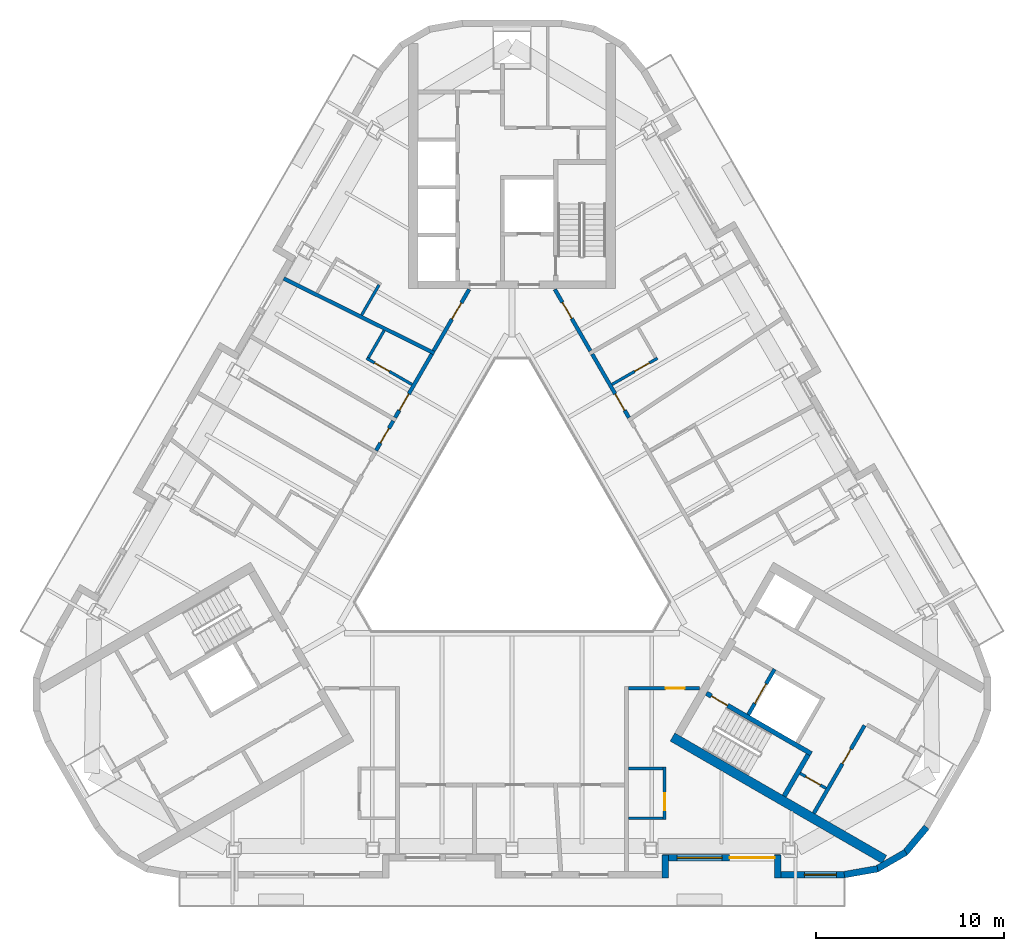
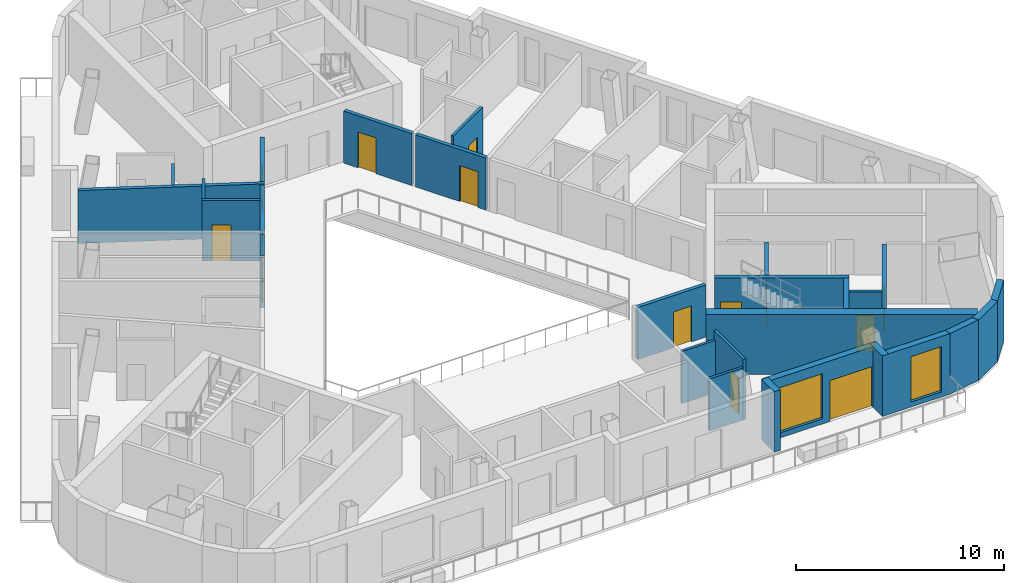
# One storey, part 5 of 13: 27 walls, 14 doors, 2 windows, 16 openings.
"""IFC4 building model written with IfcOpenShell, lengths in metres."""

from ifc_helpers import new_model, si_unit, direction, frame, frame_2d, origin, place, context, subcontext, project, spatial, rectangle, extrude, material, layer, layer_set, type_object, element, fill, save


model = new_model("IFC4")

# Units and contexts
model_context = context("Model", 3, precision=1e-05, world=origin(), true_north=direction((0.0, 1.0)))
body_context = subcontext(model_context, "Body", "Model", "MODEL_VIEW")
ifc_project = project(units=[si_unit("LENGTHUNIT", "METRE"), si_unit("AREAUNIT", "SQUARE_METRE"), si_unit("VOLUMEUNIT", "CUBIC_METRE"), si_unit("PLANEANGLEUNIT", "RADIAN"), si_unit("MASSUNIT", "GRAM", prefix="KILO")], contexts=[model_context])

# Site, building, storey
site_placement = place(None, origin())
site = spatial("IfcSite", under=ifc_project, at=site_placement, CompositionType="ELEMENT")
building_placement = place(site_placement, origin())
building = spatial("IfcBuilding", under=site, at=building_placement, Name="Apuvela Tower Hotel", CompositionType="ELEMENT")
storey_placement = place(building_placement, frame((0.0, 0.0, 276.300048828125)))
storey = spatial("IfcBuildingStorey", under=building, at=storey_placement, Name="L68", CompositionType="ELEMENT", Elevation=276.300048828125)

# Wall
ifc_material_1 = material(Name="Concrete C50/60", Category="concrete")
ifc_layer_1 = layer(ifc_material_1, 0.5)
ifc_layer_set_1 = layer_set([ifc_layer_1], Name="COR-WALL-CORE-500")
wall_type_1 = type_object("IfcWallType", Name="COR-WALL-CORE-500", PredefinedType="SHEAR", material=ifc_layer_set_1)
wall_1_placement = place(storey_placement, frame((8.546630859375, -10.99658203125, 0.0), z_axis=(0.0, 0.0, 1.0), x_axis=(0.866030218785, -0.499991660082, 0.0)))
element("IfcWall", 1, at=wall_1_placement, inside=storey, type_object=wall_type_1, Name="Core wall SE", PredefinedType="SHEAR", context=body_context, shape_type="SweptSolid", body=[
    extrude(rectangle(XDim=13.031494140625, YDim=0.5, at=frame_2d((6.515625, 0.0))), origin(), (0.0, 0.0, 1.0), 3.5),
])

# Wall, opening, door
ifc_material_2 = material(Name="Blockwork 150 mm plastered", Category="masonry")
ifc_layer_2 = layer(ifc_material_2, 0.14990234375)
ifc_layer_set_2 = layer_set([ifc_layer_2], Name="COR-WALL-PART-150")
wall_type_2 = type_object("IfcWallType", Name="COR-WALL-PART-150", PredefinedType="PARTITIONING", material=ifc_layer_set_2)
wall_2_placement = place(storey_placement, frame((15.341552734375, -12.927734375, 0.0), z_axis=(0.0, 0.0, 1.0), x_axis=(0.865989903783, -0.500061482766, 0.0)))
wall_2 = element("IfcWall", 2, at=wall_2_placement, inside=storey, type_object=wall_type_2, Name="Partition SE", PredefinedType="PARTITIONING", context=body_context, shape_type="SweptSolid", body=[
    extrude(rectangle(XDim=1.599853515625, YDim=0.14990234375, at=frame_2d((0.7998046875, 0.0))), origin(), (0.0, 0.0, 1.0), 3.5),
])
opening_1_placement = place(wall_2_placement, frame((0.35009765625, 0.0, 0.0)))
opening_1 = element("IfcOpeningElement", 3, at=opening_1_placement, cuts=wall_2, Name="Opening E-RD", PredefinedType="OPENING", context=body_context, shape_type="SweptSolid", body=[
    extrude(rectangle(XDim=0.89990234375, YDim=2.10009765625, at=frame_2d((0.449951171875, 1.050048828125))), frame((0.0, 0.0849609375, 0.0), z_axis=(0.0, -1.0, 0.0), x_axis=(1.0, 0.0, 0.0)), (0.0, 0.0, 1.0), 0.169921875),
])
ifc_material_3 = material(Name="Steel access door, powder coated", Category="steel")
door_type_1 = type_object("IfcDoorType", Name="COR-RD-900", OperationType="NOTDEFINED", PredefinedType="DOOR", material=ifc_material_3)
door_1_placement = place(opening_1_placement, frame((0.89990234375, 0.0, 0.0), z_axis=(0.0, 0.0, 1.0), x_axis=(-1.0, 0.0, 0.0)))
door_1 = element("IfcDoor", 4, at=door_1_placement, inside=storey, type_object=door_type_1, Name="Riser door E-RD", OperationType="SINGLE_SWING_LEFT", OverallHeight=2.10009765625, OverallWidth=0.89990234375, PredefinedType="DOOR", context=body_context, shape_type="SweptSolid", body=[
    extrude(rectangle(XDim=0.89990234375, YDim=2.10009765625, at=frame_2d((0.449951171875, 1.050048828125))), frame((0.0, 0.02490234375, 0.0), z_axis=(0.0, -1.0, 0.0), x_axis=(1.0, 0.0, 0.0)), (0.0, 0.0, 1.0), 0.050048828125),
])
fill(opening_1, door_1)

ifc_material_4 = material(Name="Blockwork 200 mm plastered", Category="masonry")
ifc_layer_3 = layer(ifc_material_4, 0.199951171875)
ifc_layer_set_3 = layer_set([ifc_layer_3], Name="COR-WALL-PART-200")
wall_type_3 = type_object("IfcWallType", Name="COR-WALL-PART-200", PredefinedType="PARTITIONING", material=ifc_layer_set_3)
wall_3_placement = place(storey_placement, frame((16.076171875, -15.05517578125, 0.0), z_axis=(0.0, 0.0, 1.0), x_axis=(0.499995103361, 0.866028230842, 0.0)))
wall_3 = element("IfcWall", 5, at=wall_3_placement, inside=storey, type_object=wall_type_3, Name="Partition SE", PredefinedType="PARTITIONING", context=body_context, shape_type="SweptSolid", body=[
    extrude(rectangle(XDim=5.39990234375, YDim=0.199951171875, at=frame_2d((2.699951171875, 0.0))), origin(), (0.0, 0.0, 1.0), 3.5),
])
opening_2_placement = place(wall_3_placement, frame((3.050048828125, 0.0, 0.0)))
opening_2 = element("IfcOpeningElement", 6, at=opening_2_placement, cuts=wall_3, Name="Opening E-RS1", PredefinedType="OPENING", context=body_context, shape_type="SweptSolid", body=[
    extrude(rectangle(XDim=0.89990234375, YDim=2.10009765625, at=frame_2d((0.449951171875, 1.050048828125))), frame((0.0, 0.10986328125, 0.0), z_axis=(0.0, -1.0, 0.0), x_axis=(1.0, 0.0, 0.0)), (0.0, 0.0, 1.0), 0.219970703125),
])
ifc_material_5 = material(Name="Steel fire door, powder coated", Category="steel")
door_type_2 = type_object("IfcDoorType", Name="COR-DR-900", OperationType="NOTDEFINED", PredefinedType="DOOR", material=ifc_material_5)
door_2_placement = place(opening_2_placement, frame((0.89990234375, 0.0, 0.0), z_axis=(0.0, 0.0, 1.0), x_axis=(-1.0, 0.0, 0.0)))
door_2 = element("IfcDoor", 7, at=door_2_placement, inside=storey, type_object=door_type_2, Name="Store door E-RS1", OperationType="SINGLE_SWING_LEFT", OverallHeight=2.10009765625, OverallWidth=0.89990234375, PredefinedType="DOOR", context=body_context, shape_type="SweptSolid", body=[
    extrude(rectangle(XDim=0.89990234375, YDim=2.10009765625, at=frame_2d((0.449951171875, 1.050048828125))), frame((0.0, 0.02490234375, 0.0), z_axis=(0.0, -1.0, 0.0), x_axis=(1.0, 0.0, 0.0)), (0.0, 0.0, 1.0), 0.050048828125),
])
fill(opening_2, door_2)

ifc_layer_4 = layer(ifc_material_1, 0.199951171875)
ifc_layer_set_4 = layer_set([ifc_layer_4], Name="COR-WALL-SHAFT-200")
wall_type_4 = type_object("IfcWallType", Name="COR-WALL-SHAFT-200", PredefinedType="SHEAR", material=ifc_layer_set_4)
wall_4_placement = place(storey_placement, frame((12.583251953125, -9.805419921875, 0.0), z_axis=(0.0, 0.0, 1.0), x_axis=(0.49994636267, 0.866056369097, 0.0)))
wall_4 = element("IfcWall", 8, at=wall_4_placement, inside=storey, type_object=wall_type_4, Name="Shaft wall SE", PredefinedType="SHEAR", context=body_context, shape_type="SweptSolid", body=[
    extrude(rectangle(XDim=2.800048828125, YDim=0.199951171875, at=frame_2d((1.39990234375, 0.0))), origin(), (0.0, 0.0, 1.0), 3.5),
])
opening_3_placement = place(wall_4_placement, frame((0.699951171875, 0.0, 0.0)))
opening_3 = element("IfcOpeningElement", 9, at=opening_3_placement, cuts=wall_4, Name="Opening E-LD-FS3", PredefinedType="OPENING", context=body_context, shape_type="SweptSolid", body=[
    extrude(rectangle(XDim=1.199951171875, YDim=2.10009765625, at=frame_2d((0.60009765625, 1.050048828125))), frame((0.0, 0.10986328125, 0.0), z_axis=(0.0, -1.0, 0.0), x_axis=(1.0, 0.0, 0.0)), (0.0, 0.0, 1.0), 0.219970703125),
])
ifc_material_6 = material(Name="Stainless steel lift landing door", Category="steel")
door_type_3 = type_object("IfcDoorType", Name="COR-LD-1200", OperationType="DOUBLE_DOOR_SLIDING", PredefinedType="DOOR", material=ifc_material_6)
door_3_placement = place(opening_3_placement, origin())
door_3 = element("IfcDoor", 10, at=door_3_placement, inside=storey, type_object=door_type_3, Name="Lift landing door E-LD-FS3", OperationType="DOUBLE_DOOR_SLIDING", OverallHeight=2.10009765625, OverallWidth=1.199951171875, PredefinedType="DOOR", context=body_context, shape_type="SweptSolid", body=[
    extrude(rectangle(XDim=1.199951171875, YDim=2.10009765625, at=frame_2d((0.60009765625, 1.050048828125))), frame((0.0, 0.02490234375, 0.0), z_axis=(0.0, -1.0, 0.0), x_axis=(1.0, 0.0, 0.0)), (0.0, 0.0, 1.0), 0.050048828125),
])
fill(opening_3, door_3)

ifc_layer_5 = layer(ifc_material_1, 0.25)
ifc_layer_set_5 = layer_set([ifc_layer_5], Name="COR-WALL-STAIR-250")
wall_type_5 = type_object("IfcWallType", Name="COR-WALL-STAIR-250", PredefinedType="SHEAR", material=ifc_layer_set_5)
wall_5_placement = place(storey_placement, frame((10.355712890625, -8.66357421875, 0.0), z_axis=(0.0, 0.0, 1.0), x_axis=(0.866028629588, -0.499994412703, 0.0)))
wall_5 = element("IfcWall", 11, at=wall_5_placement, inside=storey, type_object=wall_type_5, Name="Stair wall SE", PredefinedType="SHEAR", context=body_context, shape_type="SweptSolid", body=[
    extrude(rectangle(XDim=6.44970703125, YDim=0.25, at=frame_2d((3.224853515625, 0.0))), origin(), (0.0, 0.0, 1.0), 3.5),
])
opening_4_placement = place(wall_5_placement, frame((0.300048828125, 0.0, 0.0)))
opening_4 = element("IfcOpeningElement", 12, at=opening_4_placement, cuts=wall_5, Name="Opening E-SD", PredefinedType="OPENING", context=body_context, shape_type="SweptSolid", body=[
    extrude(rectangle(XDim=1.0, YDim=2.10009765625, at=frame_2d((0.5, 1.050048828125))), frame((0.0, 0.135009765625, 0.0), z_axis=(0.0, -1.0, 0.0), x_axis=(1.0, 0.0, 0.0)), (0.0, 0.0, 1.0), 0.27001953125),
])
door_type_4 = type_object("IfcDoorType", Name="COR-SD-1000", OperationType="NOTDEFINED", PredefinedType="DOOR", material=ifc_material_5)
door_4_placement = place(opening_4_placement, frame((1.0, 0.0, 0.0), z_axis=(0.0, 0.0, 1.0), x_axis=(-1.0, 0.0, 0.0)))
door_4 = element("IfcDoor", 13, at=door_4_placement, inside=storey, type_object=door_type_4, Name="Stair door E-SD", OperationType="SINGLE_SWING_LEFT", OverallHeight=2.10009765625, OverallWidth=1.0, PredefinedType="DOOR", context=body_context, shape_type="SweptSolid", body=[
    extrude(rectangle(XDim=1.0, YDim=2.10009765625, at=frame_2d((0.5, 1.050048828125))), frame((0.0, 0.02490234375, 0.0), z_axis=(0.0, -1.0, 0.0), x_axis=(1.0, 0.0, 0.0)), (0.0, 0.0, 1.0), 0.050048828125),
])
fill(opening_4, door_4)

# Walls
wall_6_placement = place(storey_placement, frame((14.49560546875, -14.142578125, 0.0), z_axis=(0.0, 0.0, 1.0), x_axis=(0.500062241894, 0.865989465428, 0.0)))
element("IfcWall", 14, at=wall_6_placement, inside=storey, type_object=wall_type_5, Name="Stair wall SE", PredefinedType="SHEAR", context=body_context, shape_type="SweptSolid", body=[
    extrude(rectangle(XDim=2.550048828125, YDim=0.25, at=frame_2d((1.27490234375, 0.0))), origin(), (0.0, 0.0, 1.0), 3.5),
])
ifc_material_7 = material(Name="Concrete C40/50, dark pigmented precast panel", Category="concrete")
ifc_layer_6 = layer(ifc_material_7, 0.35009765625)
ifc_layer_set_6 = layer_set([ifc_layer_6], Name="ENV-WALL-350")
wall_type_6 = type_object("IfcWallType", Name="ENV-WALL-350", PredefinedType="SOLIDWALL", material=ifc_layer_set_6)
wall_7_placement = place(storey_placement, frame((8.168701171875, -18.495849609375, 0.0), z_axis=(0.0, 0.0, 1.0), x_axis=(0.0, 1.0, 0.0)))
element("IfcWall", 15, at=wall_7_placement, inside=storey, type_object=wall_type_6, Name="External wall L68-22", PredefinedType="SOLIDWALL", context=body_context, shape_type="SweptSolid", body=[
    extrude(rectangle(XDim=1.219970703125, YDim=0.35009765625, at=frame_2d((0.60986328125, 0.0))), origin(), (0.0, 0.0, 1.0), 3.550048828125),
])

# Wall, openings, door, window
wall_8_placement = place(storey_placement, frame((8.023681640625, -17.4208984375, 0.0), z_axis=(0.0, 0.0, 1.0), x_axis=(1.0, 0.0, 0.0)))
wall_8 = element("IfcWall", 16, at=wall_8_placement, inside=storey, type_object=wall_type_6, Name="External wall L68-23", PredefinedType="SOLIDWALL", context=body_context, shape_type="SweptSolid", body=[
    extrude(rectangle(XDim=6.283447265625, YDim=0.35009765625, at=frame_2d((3.1416015625, 0.0))), origin(), (0.0, 0.0, 1.0), 3.550048828125),
])
opening_5_placement = place(wall_8_placement, frame((3.563232421875, 0.0, 0.0)))
opening_5 = element("IfcOpeningElement", 17, at=opening_5_placement, cuts=wall_8, Name="Opening BD24", PredefinedType="OPENING", context=body_context, shape_type="SweptSolid", body=[
    extrude(rectangle(XDim=2.39990234375, YDim=2.39990234375, at=frame_2d((1.199951171875, 1.199951171875))), frame((0.0, 0.18505859375, 0.0), z_axis=(0.0, -1.0, 0.0), x_axis=(1.0, 0.0, 0.0)), (0.0, 0.0, 1.0), 0.3701171875),
])
opening_6_placement = place(wall_8_placement, frame((0.77001953125, 0.0, 0.300048828125)))
opening_6 = element("IfcOpeningElement", 18, at=opening_6_placement, cuts=wall_8, Name="Opening WN24", PredefinedType="OPENING", context=body_context, shape_type="SweptSolid", body=[
    extrude(rectangle(XDim=2.39990234375, YDim=2.64990234375, at=frame_2d((1.199951171875, 1.324951171875))), frame((0.0, 0.18505859375, 0.0), z_axis=(0.0, -1.0, 0.0), x_axis=(1.0, 0.0, 0.0)), (0.0, 0.0, 1.0), 0.3701171875),
])
ifc_material_8 = material(Name="Aluminium 6063-T6, dark bronze anodised frame with dark tinted laminated glass", Category="aluminium")
door_type_5 = type_object("IfcDoorType", Name="ENV-DOOR-BALCONY-2400x2400", OperationType="SLIDING_TO_LEFT", PredefinedType="DOOR", material=ifc_material_8)
door_5_placement = place(opening_5_placement, frame((2.39990234375, 0.0, 0.0), z_axis=(0.0, 0.0, 1.0), x_axis=(-1.0, 0.0, 0.0)))
door_5 = element("IfcDoor", 19, at=door_5_placement, inside=storey, type_object=door_type_5, Name="Balcony door BD24", OperationType="SLIDING_TO_LEFT", OverallHeight=2.39990234375, OverallWidth=2.39990234375, PredefinedType="DOOR", context=body_context, shape_type="SweptSolid", body=[
    extrude(rectangle(XDim=2.39990234375, YDim=2.39990234375, at=frame_2d((1.199951171875, 1.199951171875))), frame((0.0, 0.02490234375, 0.0), z_axis=(0.0, -1.0, 0.0), x_axis=(1.0, 0.0, 0.0)), (0.0, 0.0, 1.0), 0.050048828125),
])
fill(opening_5, door_5)
ifc_material_9 = material(Name="Glass, dark tinted laminated insulated glazing unit", Category="glass")
window_type_1 = type_object("IfcWindowType", Name="ENV-WIN-2400x2650", PartitioningType="SINGLE_PANEL", PredefinedType="WINDOW", material=ifc_material_9)
window_1_placement = place(opening_6_placement, origin())
window_1 = element("IfcWindow", 20, at=window_1_placement, inside=storey, type_object=window_type_1, Name="Window WN24", OverallHeight=2.64990234375, OverallWidth=2.39990234375, PartitioningType="SINGLE_PANEL", PredefinedType="WINDOW", context=body_context, shape_type="SweptSolid", body=[
    extrude(rectangle(XDim=2.39990234375, YDim=2.64990234375, at=frame_2d((1.199951171875, 1.324951171875))), frame((0.0, 0.030029296875, 0.0), z_axis=(0.0, -1.0, 0.0), x_axis=(1.0, 0.0, 0.0)), (0.0, 0.0, 1.0), 0.06005859375),
])
fill(opening_6, window_1)

# Wall
wall_9_placement = place(storey_placement, frame((14.162109375, -17.27587890625, 0.0), z_axis=(0.0, 0.0, 1.0), x_axis=(0.0, -1.0, 0.0)))
element("IfcWall", 21, at=wall_9_placement, inside=storey, type_object=wall_type_6, Name="External wall L68-24", PredefinedType="SOLIDWALL", context=body_context, shape_type="SweptSolid", body=[
    extrude(rectangle(XDim=1.219970703125, YDim=0.35009765625, at=frame_2d((0.60986328125, 0.0))), origin(), (0.0, 0.0, 1.0), 3.550048828125),
])

# Wall, opening, window
wall_10_placement = place(storey_placement, frame((13.987060546875, -18.32080078125, 0.0), z_axis=(0.0, 0.0, 1.0), x_axis=(1.0, 0.0, 0.0)))
wall_10 = element("IfcWall", 22, at=wall_10_placement, inside=storey, type_object=wall_type_6, Name="External wall L68-25", PredefinedType="SOLIDWALL", context=body_context, shape_type="SweptSolid", body=[
    extrude(rectangle(XDim=3.74169921875, YDim=0.35009765625, at=frame_2d((1.870849609375, 0.0))), origin(), (0.0, 0.0, 1.0), 3.550048828125),
])
opening_7_placement = place(wall_10_placement, frame((1.581787109375, 0.0, 0.300048828125)))
opening_7 = element("IfcOpeningElement", 23, at=opening_7_placement, cuts=wall_10, Name="Opening WN17", PredefinedType="OPENING", context=body_context, shape_type="SweptSolid", body=[
    extrude(rectangle(XDim=1.699951171875, YDim=2.64990234375, at=frame_2d((0.85009765625, 1.324951171875))), frame((0.0, 0.18505859375, 0.0), z_axis=(0.0, -1.0, 0.0), x_axis=(1.0, 0.0, 0.0)), (0.0, 0.0, 1.0), 0.3701171875),
])
window_type_2 = type_object("IfcWindowType", Name="ENV-WIN-1700x2650", PartitioningType="SINGLE_PANEL", PredefinedType="WINDOW", material=ifc_material_9)
window_2_placement = place(opening_7_placement, origin())
window_2 = element("IfcWindow", 24, at=window_2_placement, inside=storey, type_object=window_type_2, Name="Window WN17", OverallHeight=2.64990234375, OverallWidth=1.699951171875, PartitioningType="SINGLE_PANEL", PredefinedType="WINDOW", context=body_context, shape_type="SweptSolid", body=[
    extrude(rectangle(XDim=1.699951171875, YDim=2.64990234375, at=frame_2d((0.85009765625, 1.324951171875))), frame((0.0, 0.030029296875, 0.0), z_axis=(0.0, -1.0, 0.0), x_axis=(1.0, 0.0, 0.0)), (0.0, 0.0, 1.0), 0.06005859375),
])
fill(opening_7, window_2)

# Walls
wall_11_placement = place(storey_placement, frame((17.6982421875, -18.323486328125, 0.0), z_axis=(0.0, 0.0, 1.0), x_axis=(0.984810858511, 0.173630564586, 0.0)))
element("IfcWall", 25, at=wall_11_placement, inside=storey, type_object=wall_type_6, Name="External wall L68-26", PredefinedType="SOLIDWALL", context=body_context, shape_type="SweptSolid", body=[
    extrude(rectangle(XDim=1.7998046875, YDim=0.35009765625, at=frame_2d((0.89990234375, 0.0))), origin(), (0.0, 0.0, 1.0), 3.550048828125),
])
wall_12_placement = place(storey_placement, frame((19.41357421875, -18.03173828125, 0.0), z_axis=(0.0, 0.0, 1.0), x_axis=(0.866047807691, 0.499961193289, 0.0)))
element("IfcWall", 26, at=wall_12_placement, inside=storey, type_object=wall_type_6, Name="External wall L68-27", PredefinedType="SOLIDWALL", context=body_context, shape_type="SweptSolid", body=[
    extrude(rectangle(XDim=1.800048828125, YDim=0.35009765625, at=frame_2d((0.89990234375, 0.0))), origin(), (0.0, 0.0, 1.0), 3.550048828125),
])
wall_13_placement = place(storey_placement, frame((20.92578125, -17.1708984375, 0.0), z_axis=(0.0, 0.0, 1.0), x_axis=(0.642756114672, 0.766070869471, 0.0)))
element("IfcWall", 27, at=wall_13_placement, inside=storey, type_object=wall_type_6, Name="External wall L68-28", PredefinedType="SOLIDWALL", context=body_context, shape_type="SweptSolid", body=[
    extrude(rectangle(XDim=1.799560546875, YDim=0.35009765625, at=frame_2d((0.89990234375, 0.0))), origin(), (0.0, 0.0, 1.0), 3.550048828125),
])
ifc_material_10 = material(Name="Gypsum board partition on twin steel stud", Category="steel")
ifc_layer_7 = layer(ifc_material_10, 0.199951171875)
ifc_layer_set_7 = layer_set([ifc_layer_7], Name="GST-PW1")
wall_type_7 = type_object("IfcWallType", Name="GST-PW1", PredefinedType="PARTITIONING", material=ifc_layer_set_7)
wall_14_placement = place(storey_placement, frame((-12.161865234375, 13.4267578125, 0.0), z_axis=(0.0, 0.0, 1.0), x_axis=(0.895849808174, -0.444356974959, 0.0)))
element("IfcWall", 28, at=wall_14_placement, inside=storey, type_object=wall_type_7, Name="L68 partition 09", PredefinedType="PARTITIONING", context=body_context, shape_type="SweptSolid", body=[
    extrude(rectangle(XDim=8.9638671875, YDim=0.199951171875, at=frame_2d((4.48193359375, 0.0))), origin(), (0.0, 0.0, 1.0), 3.099853515625),
])

# Wall, opening, door
ifc_material_11 = material(Name="Gypsum board corridor wall on twin steel stud, acoustic", Category="steel")
ifc_layer_8 = layer(ifc_material_11, 0.199951171875)
ifc_layer_set_8 = layer_set([ifc_layer_8], Name="GST-PW2")
wall_type_8 = type_object("IfcWallType", Name="GST-PW2", PredefinedType="PARTITIONING", material=ifc_layer_set_8)
wall_15_placement = place(storey_placement, frame((9.98828125, -8.39990234375, 0.0), z_axis=(0.0, 0.0, 1.0), x_axis=(-1.0, 0.0, 0.0)))
wall_15 = element("IfcWall", 29, at=wall_15_placement, inside=storey, type_object=wall_type_8, Name="L68 partition 20", PredefinedType="PARTITIONING", context=body_context, shape_type="SweptSolid", body=[
    extrude(rectangle(XDim=3.788330078125, YDim=0.199951171875, at=frame_2d((1.89404296875, 0.0))), origin(), (0.0, 0.0, 1.0), 3.050048828125),
])
opening_8_placement = place(wall_15_placement, frame((0.800048828125, 0.0, 0.0)))
opening_8 = element("IfcOpeningElement", 30, at=opening_8_placement, cuts=wall_15, Name="Opening GD27-07", PredefinedType="OPENING", context=body_context, shape_type="SweptSolid", body=[
    extrude(rectangle(XDim=1.0, YDim=2.10009765625, at=frame_2d((0.5, 1.050048828125))), frame((0.0, 0.10986328125, 0.0), z_axis=(0.0, -1.0, 0.0), x_axis=(1.0, 0.0, 0.0)), (0.0, 0.0, 1.0), 0.219970703125),
])
ifc_material_12 = material(Name="Timber door leaf in steel frame", Category="steel")
door_type_6 = type_object("IfcDoorType", Name="GST-D1", OperationType="NOTDEFINED", PredefinedType="DOOR", material=ifc_material_12)
door_6_placement = place(opening_8_placement, origin())
door_6 = element("IfcDoor", 31, at=door_6_placement, inside=storey, type_object=door_type_6, Name="Door L68-07", OperationType="SINGLE_SWING_RIGHT", OverallHeight=2.10009765625, OverallWidth=1.0, PredefinedType="DOOR", context=body_context, shape_type="SweptSolid", body=[
    extrude(rectangle(XDim=1.0, YDim=2.10009765625, at=frame_2d((0.5, 1.050048828125))), frame((0.0, 0.02490234375, 0.0), z_axis=(0.0, -1.0, 0.0), x_axis=(1.0, 0.0, 0.0)), (0.0, 0.0, 1.0), 0.050048828125),
])
fill(opening_8, door_6)

wall_16_placement = place(storey_placement, frame((4.274658203125, 9.396240234375, 0.0), z_axis=(0.0, 0.0, 1.0), x_axis=(0.499964122822, -0.866046116492, 0.0)))
wall_16 = element("IfcWall", 32, at=wall_16_placement, inside=storey, type_object=wall_type_8, Name="L68 partition 34", PredefinedType="PARTITIONING", context=body_context, shape_type="SweptSolid", body=[
    extrude(rectangle(XDim=3.906005859375, YDim=0.199951171875, at=frame_2d((1.953125, 0.0))), origin(), (0.0, 0.0, 1.0), 3.050048828125),
])
opening_9_placement = place(wall_16_placement, frame((2.449951171875, 0.0, 0.0)))
opening_9 = element("IfcOpeningElement", 33, at=opening_9_placement, cuts=wall_16, Name="Opening GD27-15", PredefinedType="OPENING", context=body_context, shape_type="SweptSolid", body=[
    extrude(rectangle(XDim=1.0, YDim=2.10009765625, at=frame_2d((0.5, 1.050048828125))), frame((0.0, 0.10986328125, 0.0), z_axis=(0.0, -1.0, 0.0), x_axis=(1.0, 0.0, 0.0)), (0.0, 0.0, 1.0), 0.219970703125),
])
door_7_placement = place(opening_9_placement, origin())
door_7 = element("IfcDoor", 34, at=door_7_placement, inside=storey, type_object=door_type_6, Name="Door L68-15", OperationType="SINGLE_SWING_RIGHT", OverallHeight=2.10009765625, OverallWidth=1.0, PredefinedType="DOOR", context=body_context, shape_type="SweptSolid", body=[
    extrude(rectangle(XDim=1.0, YDim=2.10009765625, at=frame_2d((0.5, 1.050048828125))), frame((0.0, 0.02490234375, 0.0), z_axis=(0.0, -1.0, 0.0), x_axis=(1.0, 0.0, 0.0)), (0.0, 0.0, 1.0), 0.050048828125),
])
fill(opening_9, door_7)

wall_17_placement = place(storey_placement, frame((2.280517578125, 12.85009765625, 0.0), z_axis=(0.0, 0.0, 1.0), x_axis=(0.499979074716, -0.866037484666, 0.0)))
wall_17 = element("IfcWall", 35, at=wall_17_placement, inside=storey, type_object=wall_type_8, Name="L68 partition 37", PredefinedType="PARTITIONING", context=body_context, shape_type="SweptSolid", body=[
    extrude(rectangle(XDim=3.788330078125, YDim=0.199951171875, at=frame_2d((1.89404296875, 0.0))), origin(), (0.0, 0.0, 1.0), 3.050048828125),
])
opening_10_placement = place(wall_17_placement, frame((0.800048828125, 0.0, 0.0)))
opening_10 = element("IfcOpeningElement", 36, at=opening_10_placement, cuts=wall_17, Name="Opening GD27-17", PredefinedType="OPENING", context=body_context, shape_type="SweptSolid", body=[
    extrude(rectangle(XDim=1.0, YDim=2.10009765625, at=frame_2d((0.5, 1.050048828125))), frame((0.0, 0.10986328125, 0.0), z_axis=(0.0, -1.0, 0.0), x_axis=(1.0, 0.0, 0.0)), (0.0, 0.0, 1.0), 0.219970703125),
])
door_8_placement = place(opening_10_placement, origin())
door_8 = element("IfcDoor", 37, at=door_8_placement, inside=storey, type_object=door_type_6, Name="Door L68-17", OperationType="SINGLE_SWING_RIGHT", OverallHeight=2.10009765625, OverallWidth=1.0, PredefinedType="DOOR", context=body_context, shape_type="SweptSolid", body=[
    extrude(rectangle(XDim=1.0, YDim=2.10009765625, at=frame_2d((0.5, 1.050048828125))), frame((0.0, 0.02490234375, 0.0), z_axis=(0.0, -1.0, 0.0), x_axis=(1.0, 0.0, 0.0)), (0.0, 0.0, 1.0), 0.050048828125),
])
fill(opening_10, door_8)

wall_18_placement = place(storey_placement, frame((-4.17138671875, 9.574951171875, 0.0), z_axis=(0.0, 0.0, 1.0), x_axis=(0.49999255039, 0.866029704776, 0.0)))
wall_18 = element("IfcWall", 38, at=wall_18_placement, inside=storey, type_object=wall_type_8, Name="L68 partition 41", PredefinedType="PARTITIONING", context=body_context, shape_type="SweptSolid", body=[
    extrude(rectangle(XDim=3.78173828125, YDim=0.199951171875, at=frame_2d((1.890869140625, 0.0))), origin(), (0.0, 0.0, 1.0), 3.050048828125),
])
opening_11_placement = place(wall_18_placement, frame((1.949951171875, 0.0, 0.0)))
opening_11 = element("IfcOpeningElement", 39, at=opening_11_placement, cuts=wall_18, Name="Opening GD27-19", PredefinedType="OPENING", context=body_context, shape_type="SweptSolid", body=[
    extrude(rectangle(XDim=1.0, YDim=2.10009765625, at=frame_2d((0.5, 1.050048828125))), frame((0.0, 0.10986328125, 0.0), z_axis=(0.0, -1.0, 0.0), x_axis=(1.0, 0.0, 0.0)), (0.0, 0.0, 1.0), 0.219970703125),
])
door_9_placement = place(opening_11_placement, origin())
door_9 = element("IfcDoor", 40, at=door_9_placement, inside=storey, type_object=door_type_6, Name="Door L68-19", OperationType="SINGLE_SWING_LEFT", OverallHeight=2.10009765625, OverallWidth=1.0, PredefinedType="DOOR", context=body_context, shape_type="SweptSolid", body=[
    extrude(rectangle(XDim=1.0, YDim=2.10009765625, at=frame_2d((0.5, 1.050048828125))), frame((0.0, 0.02490234375, 0.0), z_axis=(0.0, -1.0, 0.0), x_axis=(1.0, 0.0, 0.0)), (0.0, 0.0, 1.0), 0.050048828125),
])
fill(opening_11, door_9)

wall_19_placement = place(storey_placement, frame((-6.224609375, 6.018798828125, 0.0), z_axis=(0.0, 0.0, 1.0), x_axis=(0.500011000363, 0.866019052629, 0.0)))
wall_19 = element("IfcWall", 41, at=wall_19_placement, inside=storey, type_object=wall_type_8, Name="L68 partition 45", PredefinedType="PARTITIONING", context=body_context, shape_type="SweptSolid", body=[
    extrude(rectangle(XDim=3.90625, YDim=0.199951171875, at=frame_2d((1.953125, 0.0))), origin(), (0.0, 0.0, 1.0), 3.050048828125),
])
opening_12_placement = place(wall_19_placement, frame((0.449951171875, 0.0, 0.0)))
opening_12 = element("IfcOpeningElement", 42, at=opening_12_placement, cuts=wall_19, Name="Opening GD27-21", PredefinedType="OPENING", context=body_context, shape_type="SweptSolid", body=[
    extrude(rectangle(XDim=1.0, YDim=2.10009765625, at=frame_2d((0.5, 1.050048828125))), frame((0.0, 0.10986328125, 0.0), z_axis=(0.0, -1.0, 0.0), x_axis=(1.0, 0.0, 0.0)), (0.0, 0.0, 1.0), 0.219970703125),
])
door_10_placement = place(opening_12_placement, origin())
door_10 = element("IfcDoor", 43, at=door_10_placement, inside=storey, type_object=door_type_6, Name="Door L68-21", OperationType="SINGLE_SWING_LEFT", OverallHeight=2.10009765625, OverallWidth=1.0, PredefinedType="DOOR", context=body_context, shape_type="SweptSolid", body=[
    extrude(rectangle(XDim=1.0, YDim=2.10009765625, at=frame_2d((0.5, 1.050048828125))), frame((0.0, 0.02490234375, 0.0), z_axis=(0.0, -1.0, 0.0), x_axis=(1.0, 0.0, 0.0)), (0.0, 0.0, 1.0), 0.050048828125),
])
fill(opening_12, door_10)

wall_20_placement = place(storey_placement, frame((-7.237060546875, 4.264892578125, 0.0), z_axis=(0.0, 0.0, 1.0), x_axis=(0.499923179218, 0.866069751741, 0.0)))
wall_20 = element("IfcWall", 44, at=wall_20_placement, inside=storey, type_object=wall_type_8, Name="L68 partition 49", PredefinedType="PARTITIONING", context=body_context, shape_type="SweptSolid", body=[
    extrude(rectangle(XDim=1.824951171875, YDim=0.199951171875, at=frame_2d((0.91259765625, 0.0))), origin(), (0.0, 0.0, 1.0), 3.050048828125),
])
opening_13_placement = place(wall_20_placement, frame((0.46240234375, 0.0, 0.0)))
opening_13 = element("IfcOpeningElement", 45, at=opening_13_placement, cuts=wall_20, Name="Opening GD27-22", PredefinedType="OPENING", context=body_context, shape_type="SweptSolid", body=[
    extrude(rectangle(XDim=0.89990234375, YDim=2.10009765625, at=frame_2d((0.449951171875, 1.050048828125))), frame((0.0, 0.10986328125, 0.0), z_axis=(0.0, -1.0, 0.0), x_axis=(1.0, 0.0, 0.0)), (0.0, 0.0, 1.0), 0.219970703125),
])
door_type_7 = type_object("IfcDoorType", Name="GST-D2", OperationType="NOTDEFINED", PredefinedType="DOOR", material=ifc_material_12)
door_11_placement = place(opening_13_placement, origin())
door_11 = element("IfcDoor", 46, at=door_11_placement, inside=storey, type_object=door_type_7, Name="Door L68-22", OperationType="SINGLE_SWING_LEFT", OverallHeight=2.10009765625, OverallWidth=0.89990234375, PredefinedType="DOOR", context=body_context, shape_type="SweptSolid", body=[
    extrude(rectangle(XDim=0.89990234375, YDim=2.10009765625, at=frame_2d((0.449951171875, 1.050048828125))), frame((0.0, 0.02490234375, 0.0), z_axis=(0.0, -1.0, 0.0), x_axis=(1.0, 0.0, 0.0)), (0.0, 0.0, 1.0), 0.050048828125),
])
fill(opening_13, door_11)

ifc_material_13 = material(Name="Moisture-resistant gypsum board wet wall on steel stud", Category="steel")
ifc_layer_9 = layer(ifc_material_13, 0.14990234375)
ifc_layer_set_9 = layer_set([ifc_layer_9], Name="GST-PW3")
wall_type_9 = type_object("IfcWallType", Name="GST-PW3", PredefinedType="PARTITIONING", material=ifc_layer_set_9)
wall_21_placement = place(storey_placement, frame((8.125, -15.39990234375, 0.0), z_axis=(0.0, 0.0, 1.0), x_axis=(0.0, 1.0, 0.0)))
wall_21 = element("IfcWall", 47, at=wall_21_placement, inside=storey, type_object=wall_type_9, Name="L68 partition 21", PredefinedType="PARTITIONING", context=body_context, shape_type="SweptSolid", body=[
    extrude(rectangle(XDim=2.7998046875, YDim=0.14990234375, at=frame_2d((1.39990234375, 0.0))), origin(), (0.0, 0.0, 1.0), 3.550048828125),
])
opening_14_placement = place(wall_21_placement, frame((0.5, 0.0, 0.0)))
opening_14 = element("IfcOpeningElement", 48, at=opening_14_placement, cuts=wall_21, Name="Opening GD27-06", PredefinedType="OPENING", context=body_context, shape_type="SweptSolid", body=[
    extrude(rectangle(XDim=0.89990234375, YDim=2.10009765625, at=frame_2d((0.449951171875, 1.050048828125))), frame((0.0, 0.0849609375, 0.0), z_axis=(0.0, -1.0, 0.0), x_axis=(1.0, 0.0, 0.0)), (0.0, 0.0, 1.0), 0.169921875),
])
door_12_placement = place(opening_14_placement, origin())
door_12 = element("IfcDoor", 49, at=door_12_placement, inside=storey, type_object=door_type_7, Name="Door L68-06", OperationType="SINGLE_SWING_LEFT", OverallHeight=2.10009765625, OverallWidth=0.89990234375, PredefinedType="DOOR", context=body_context, shape_type="SweptSolid", body=[
    extrude(rectangle(XDim=0.89990234375, YDim=2.10009765625, at=frame_2d((0.449951171875, 1.050048828125))), frame((0.0, 0.02490234375, 0.0), z_axis=(0.0, -1.0, 0.0), x_axis=(1.0, 0.0, 0.0)), (0.0, 0.0, 1.0), 0.050048828125),
])
fill(opening_14, door_12)

# Walls
for number, where, z_axis, x_axis, name in (
    (50, (6.199951171875, -15.324951171875, 0.0), (0.0, 0.0, 1.0), (1.0, 0.0, 0.0), "L68 partition 22"),
    (51, (6.199951171875, -12.675048828125, 0.0), (0.0, 0.0, 1.0), (1.0, 0.0, 0.0), "L68 partition 23"),
):
    element("IfcWall", number, at=place(storey_placement, frame(where, z_axis=z_axis, x_axis=x_axis)), inside=storey, type_object=wall_type_9, Name=name, PredefinedType="PARTITIONING", context=body_context, shape_type="SweptSolid", body=[
        extrude(rectangle(XDim=1.85009765625, YDim=0.14990234375, at=frame_2d((0.925048828125, 0.0))), origin(), (0.0, 0.0, 1.0), 3.050048828125),
    ])

# Wall, opening, door
wall_22_placement = place(storey_placement, frame((5.32373046875, 7.779052734375, 0.0), z_axis=(0.0, 0.0, 1.0), x_axis=(0.865996816683, 0.500049511043, 0.0)))
wall_22 = element("IfcWall", 52, at=wall_22_placement, inside=storey, type_object=wall_type_9, Name="L68 partition 35", PredefinedType="PARTITIONING", context=body_context, shape_type="SweptSolid", body=[
    extrude(rectangle(XDim=2.800048828125, YDim=0.14990234375, at=frame_2d((1.39990234375, 0.0))), origin(), (0.0, 0.0, 1.0), 3.550048828125),
])
opening_15_placement = place(wall_22_placement, frame((1.39990234375, 0.0, 0.0)))
opening_15 = element("IfcOpeningElement", 53, at=opening_15_placement, cuts=wall_22, Name="Opening GD27-14", PredefinedType="OPENING", context=body_context, shape_type="SweptSolid", body=[
    extrude(rectangle(XDim=0.89990234375, YDim=2.10009765625, at=frame_2d((0.449951171875, 1.050048828125))), frame((0.0, 0.0849609375, 0.0), z_axis=(0.0, -1.0, 0.0), x_axis=(1.0, 0.0, 0.0)), (0.0, 0.0, 1.0), 0.169921875),
])
door_13_placement = place(opening_15_placement, origin())
door_13 = element("IfcDoor", 54, at=door_13_placement, inside=storey, type_object=door_type_7, Name="Door L68-14", OperationType="SINGLE_SWING_RIGHT", OverallHeight=2.10009765625, OverallWidth=0.89990234375, PredefinedType="DOOR", context=body_context, shape_type="SweptSolid", body=[
    extrude(rectangle(XDim=0.89990234375, YDim=2.10009765625, at=frame_2d((0.449951171875, 1.050048828125))), frame((0.0, 0.02490234375, 0.0), z_axis=(0.0, -1.0, 0.0), x_axis=(1.0, 0.0, 0.0)), (0.0, 0.0, 1.0), 0.050048828125),
])
fill(opening_15, door_13)

# Wall
wall_23_placement = place(storey_placement, frame((-7.081298828125, 13.084716796875, 0.0), z_axis=(0.0, 0.0, 1.0), x_axis=(-0.500060473882, -0.865990486357, 0.0)))
element("IfcWall", 55, at=wall_23_placement, inside=storey, type_object=wall_type_9, Name="L68 partition 44", PredefinedType="PARTITIONING", context=body_context, shape_type="SweptSolid", body=[
    extrude(rectangle(XDim=1.854736328125, YDim=0.14990234375, at=frame_2d((0.92724609375, 0.0))), origin(), (0.0, 0.0, 1.0), 3.050048828125),
])

# Wall, opening, door
wall_24_placement = place(storey_placement, frame((-7.748779296875, 9.178955078125, 0.0), z_axis=(0.0, 0.0, 1.0), x_axis=(0.866018616679, -0.500011755427, 0.0)))
wall_24 = element("IfcWall", 56, at=wall_24_placement, inside=storey, type_object=wall_type_9, Name="L68 partition 46", PredefinedType="PARTITIONING", context=body_context, shape_type="SweptSolid", body=[
    extrude(rectangle(XDim=2.80029296875, YDim=0.14990234375, at=frame_2d((1.400146484375, 0.0))), origin(), (0.0, 0.0, 1.0), 3.550048828125),
])
opening_16_placement = place(wall_24_placement, frame((0.5, 0.0, 0.0)))
opening_16 = element("IfcOpeningElement", 57, at=opening_16_placement, cuts=wall_24, Name="Opening GD27-20", PredefinedType="OPENING", context=body_context, shape_type="SweptSolid", body=[
    extrude(rectangle(XDim=0.89990234375, YDim=2.10009765625, at=frame_2d((0.449951171875, 1.050048828125))), frame((0.0, 0.0849609375, 0.0), z_axis=(0.0, -1.0, 0.0), x_axis=(1.0, 0.0, 0.0)), (0.0, 0.0, 1.0), 0.169921875),
])
door_14_placement = place(opening_16_placement, origin())
door_14 = element("IfcDoor", 58, at=door_14_placement, inside=storey, type_object=door_type_7, Name="Door L68-20", OperationType="SINGLE_SWING_LEFT", OverallHeight=2.10009765625, OverallWidth=0.89990234375, PredefinedType="DOOR", context=body_context, shape_type="SweptSolid", body=[
    extrude(rectangle(XDim=0.89990234375, YDim=2.10009765625, at=frame_2d((0.449951171875, 1.050048828125))), frame((0.0, 0.02490234375, 0.0), z_axis=(0.0, -1.0, 0.0), x_axis=(1.0, 0.0, 0.0)), (0.0, 0.0, 1.0), 0.050048828125),
])
fill(opening_16, door_14)

# Wall
wall_25_placement = place(storey_placement, frame((-6.807373046875, 10.6591796875, 0.0), z_axis=(0.0, 0.0, 1.0), x_axis=(-0.500020578564, -0.866013522419, 0.0)))
element("IfcWall", 59, at=wall_25_placement, inside=storey, type_object=wall_type_9, Name="L68 partition 47", PredefinedType="PARTITIONING", context=body_context, shape_type="SweptSolid", body=[
    extrude(rectangle(XDim=1.677734375, YDim=0.14990234375, at=frame_2d((0.8388671875, 0.0))), origin(), (0.0, 0.0, 1.0), 3.550048828125),
])

save(model, "model.ifc")
